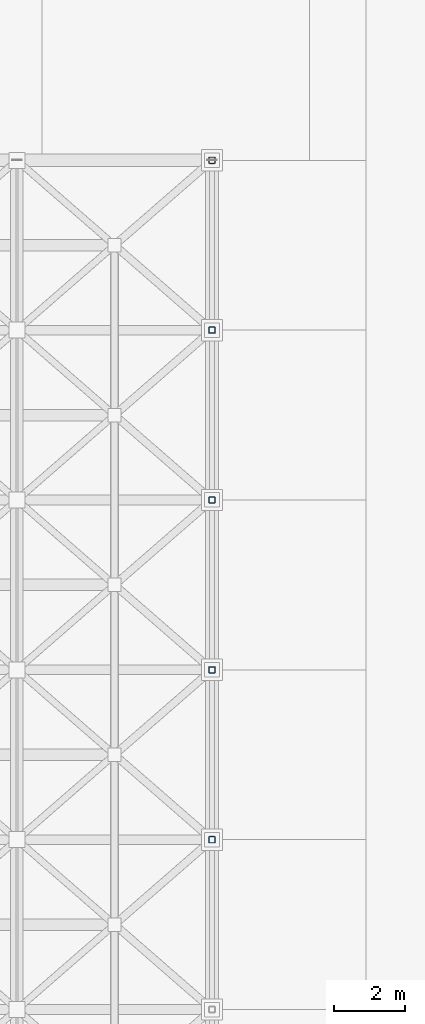
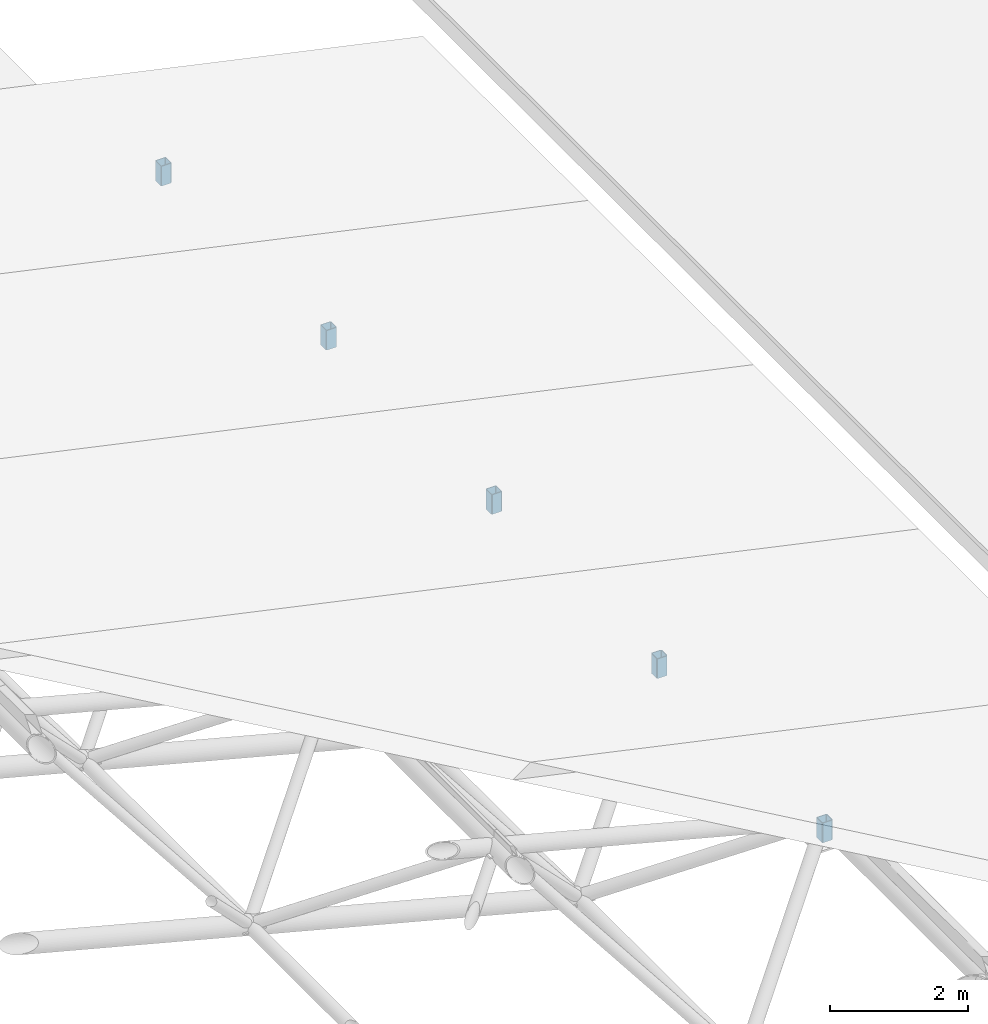
# One storey, part 39 of 60: 5 members.
"""IFC4 building model written with IfcOpenShell, lengths in metres."""

from ifc_helpers import new_model, si_unit, direction, frame, origin, origin_2d, place, context, subcontext, project, spatial, hollow_rectangle, extrude, material, material_profile, profile_set, type_object, element, save


model = new_model("IFC4")

# Units and contexts
model_context = context("Model", 3, precision=1e-05, world=origin(), true_north=direction((0.0, 1.0)))
body_context = subcontext(model_context, "Body", "Model", "MODEL_VIEW")
ifc_project = project(units=[si_unit("LENGTHUNIT", "METRE"), si_unit("AREAUNIT", "SQUARE_METRE"), si_unit("VOLUMEUNIT", "CUBIC_METRE"), si_unit("PLANEANGLEUNIT", "RADIAN"), si_unit("MASSUNIT", "GRAM", prefix="KILO")], contexts=[model_context])

# Site, building, storey
site_placement = place(None, origin())
site = spatial("IfcSite", under=ifc_project, at=site_placement, CompositionType="ELEMENT")
building_placement = place(site_placement, origin())
building = spatial("IfcBuilding", under=site, at=building_placement, Name="Nakhvara Creek Congress Hotel", CompositionType="ELEMENT")
storey_placement = place(building_placement, frame((0.0, 0.0, 54.60009765625)))
storey = spatial("IfcBuildingStorey", under=building, at=storey_placement, Name="RL1", CompositionType="ELEMENT", Elevation=54.60009765625)

# Members
ifc_material = material(Name="Steel S355J2H", Category="steel")
ifc_material_profile = material_profile(ifc_material, hollow_rectangle(XDim=0.179931640625, YDim=0.179931640625, WallThickness=0.010009765625, InnerFilletRadius=0.010009765625, OuterFilletRadius=0.02001953125, at=origin_2d()), Name="SHS 180x180x10.0", Category="LoadBearing")
ifc_profile_set = profile_set([ifc_material_profile], Name="Steel S355J2H")
member_type = type_object("IfcMemberType", Name="MEM-STR-SHS180", PredefinedType="STRUT", material=ifc_profile_set)
for number, where, z_axis, x_axis, name in (
    (1, (53.25, 67.199951171875, -35.400146484375), (0.0, 0.0, 1.0), (1.0, 0.0, 0.0), "Congress Roof Truss Bearing Strut 072"),
    (2, (53.25, 72.0, -35.400146484375), (0.0, 0.0, 1.0), (1.0, 0.0, 0.0), "Congress Roof Truss Bearing Strut 081"),
    (3, (53.25, 76.800048828125, -35.400146484375), (0.0, 0.0, 1.0), (1.0, 0.0, 0.0), "Congress Roof Truss Bearing Strut 090"),
    (4, (53.25, 81.60009765625, -35.400146484375), (0.0, 0.0, 1.0), (1.0, 0.0, 0.0), "Congress Roof Truss Bearing Strut 099"),
    (5, (53.25, 86.39990234375, -35.400146484375), (0.0, 0.0, 1.0), (1.0, 0.0, 0.0), "Congress Roof Truss Bearing Strut 108"),
):
    element("IfcMember", number, at=place(storey_placement, frame(where, z_axis=z_axis, x_axis=x_axis)), inside=storey, type_object=member_type, Name=name, PredefinedType="STRUT", context=body_context, shape_type="SweptSolid", body=[
        extrude(hollow_rectangle(XDim=0.179931640625, YDim=0.179931640625, WallThickness=0.010009765625, InnerFilletRadius=0.010009765625, OuterFilletRadius=0.02001953125, at=origin_2d()), origin(), (0.0, 0.0, 1.0), 0.35009765625),
    ])

save(model, "model.ifc")
